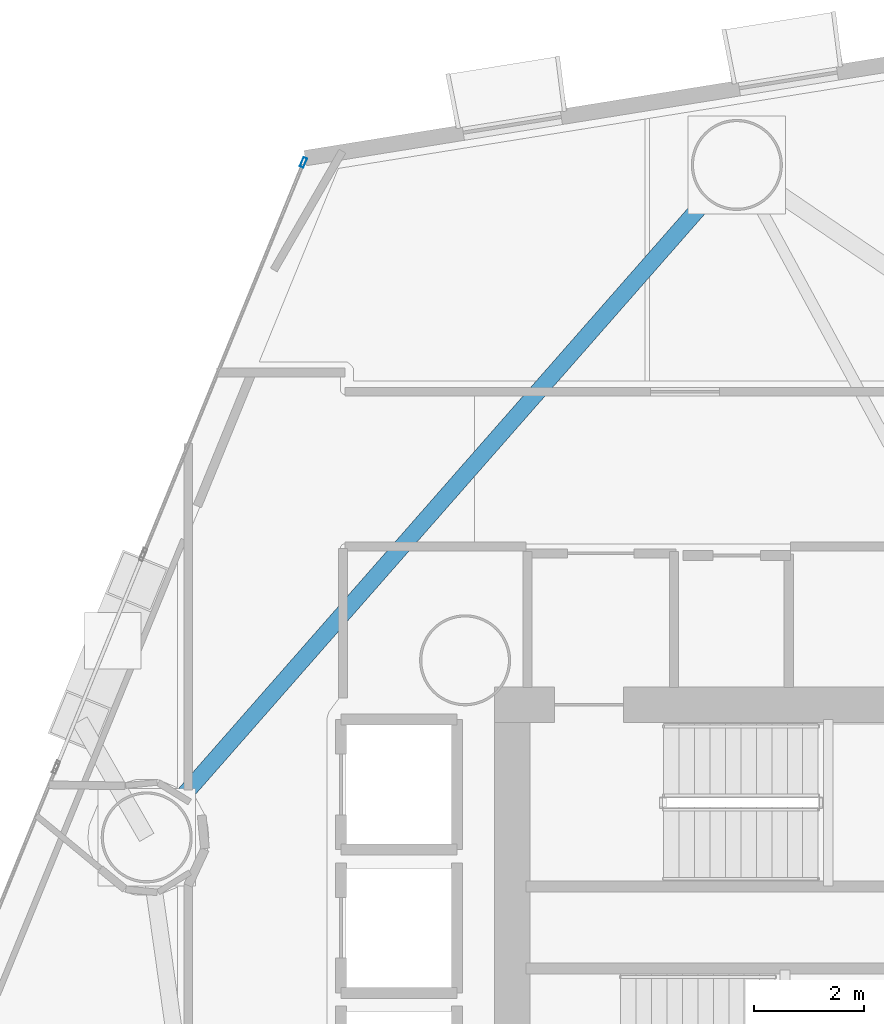
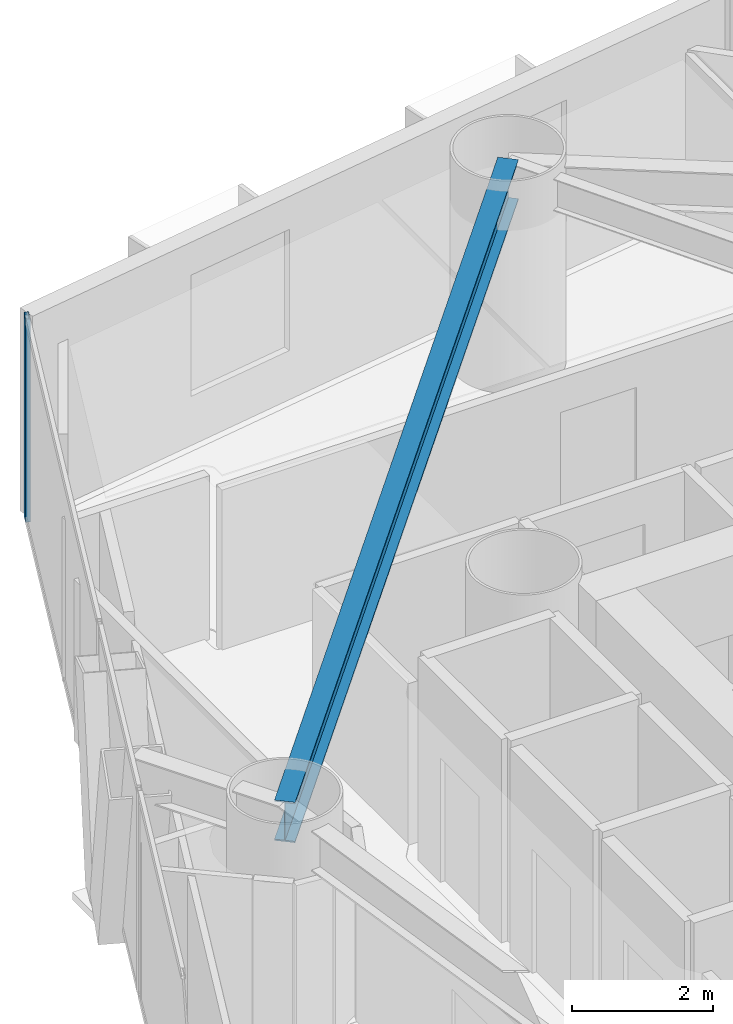
# One storey, part 9 of 23: 1 beam, 1 member, 1 element without a shape of its own.
"""IFC4 building model written with IfcOpenShell, lengths in metres."""

from ifc_helpers import new_model, si_unit, direction, frame, origin, origin_2d, place, context, subcontext, project, spatial, hollow_rectangle, i_section, extrude, material, layer, layer_set, material_profile, profile_set, type_object, element, aggregate, save


model = new_model("IFC4")

# Units and contexts
model_context = context("Model", 3, precision=1e-05, world=origin(), true_north=direction((0.0, 1.0)))
body_context = subcontext(model_context, "Body", "Model", "MODEL_VIEW")
ifc_project = project(units=[si_unit("LENGTHUNIT", "METRE"), si_unit("AREAUNIT", "SQUARE_METRE"), si_unit("VOLUMEUNIT", "CUBIC_METRE"), si_unit("PLANEANGLEUNIT", "RADIAN"), si_unit("MASSUNIT", "GRAM", prefix="KILO")], contexts=[model_context])

# Site, building, storey
site_placement = place(None, origin())
site = spatial("IfcSite", under=ifc_project, at=site_placement, CompositionType="ELEMENT")
building_placement = place(site_placement, origin())
building = spatial("IfcBuilding", under=site, at=building_placement, Name="Qianvela Tower", CompositionType="ELEMENT")
storey_placement = place(building_placement, frame((0.0, 0.0, 52.5)))
storey = spatial("IfcBuildingStorey", under=building, at=storey_placement, Name="L12", CompositionType="ELEMENT", Elevation=52.5)

# Beam
ifc_material_1 = material(Name="Steel Q355B", Category="steel")
ifc_material_profile_1 = material_profile(ifc_material_1, i_section(OverallWidth=0.300048828125, OverallDepth=0.699951171875, WebThickness=0.012939453125, FlangeThickness=0.02392578125, at=origin_2d()), Name="HN700x300x13x24")
ifc_profile_set_1 = profile_set([ifc_material_profile_1], Name="Steel Q355B")
beam_type = type_object("IfcBeamType", Name="BM-HN700-SPAND", PredefinedType="SPANDREL", material=ifc_profile_set_1)
beam_placement = place(storey_placement, frame((33.52587890625, 42.529052734375, 3.16796875), z_axis=(-0.659601693124, -0.751615331422, 0.0), x_axis=(0.751615331422, -0.659601693124, 0.0)))
element("IfcBeam", 1, at=beam_placement, inside=storey, type_object=beam_type, Name="L12 Perimeter Ring Spandrel Girder 3", PredefinedType="SPANDREL", context=body_context, shape_type="SweptSolid", body=[
    extrude(i_section(OverallWidth=0.300048828125, OverallDepth=0.699951171875, WebThickness=0.012939453125, FlangeThickness=0.02392578125, at=origin_2d()), origin(), (0.0, 0.0, 1.0), 16.217041015625),
])

# Curtain wall, member
ifc_material_2 = material(Name="Anodised Architectural Aluminium and Low-E Glass", Category="aluminium")
ifc_layer = layer(ifc_material_2, 0.179931640625)
ifc_layer_set = layer_set([ifc_layer], Name="Anodised Architectural Aluminium and Low-E Glass")
curtain_wall_type = type_object("IfcCurtainWallType", Name="CW-COLIV-Z12", PredefinedType="USERDEFINED", material=ifc_layer_set)
curtain_wall_placement = place(storey_placement, origin())
curtain_wall = element("IfcCurtainWall", 2, at=curtain_wall_placement, inside=storey, type_object=curtain_wall_type, Name="L12 CW-COLIV-Z12 Curtain Wall 04A", ObjectType="CURTAIN_WALL_SYSTEM", PredefinedType="USERDEFINED")
ifc_material_3 = material(Name="Anodised Architectural Aluminium 6063-T6", Category="aluminium")
ifc_material_profile_2 = material_profile(ifc_material_3, hollow_rectangle(XDim=0.070068359375, YDim=0.179931640625, WallThickness=0.0048828125, at=origin_2d()), Name="ALU-MULL-70x180")
ifc_profile_set_2 = profile_set([ifc_material_profile_2], Name="Anodised Architectural Aluminium 6063-T6")
member_type = type_object("IfcMemberType", Name="CW-COLIV-Z12-MULL", PredefinedType="MULLION", material=ifc_profile_set_2)
member_placement = place(storey_placement, frame((25.670654296875, 42.57421875, 0.0), z_axis=(0.0, 0.0, 1.0), x_axis=(0.925603275582, -0.378495146907, 0.0)))
member = element("IfcMember", 3, at=member_placement, type_object=member_type, Name="CW-3 mullion 1", PredefinedType="MULLION", context=body_context, shape_type="SweptSolid", body=[
    extrude(hollow_rectangle(XDim=0.070068359375, YDim=0.179931640625, WallThickness=0.0048828125, at=origin_2d()), origin(), (0.0, 0.0, 1.0), 3.52001953125),
])
aggregate(curtain_wall, [member])

save(model, "model.ifc")
